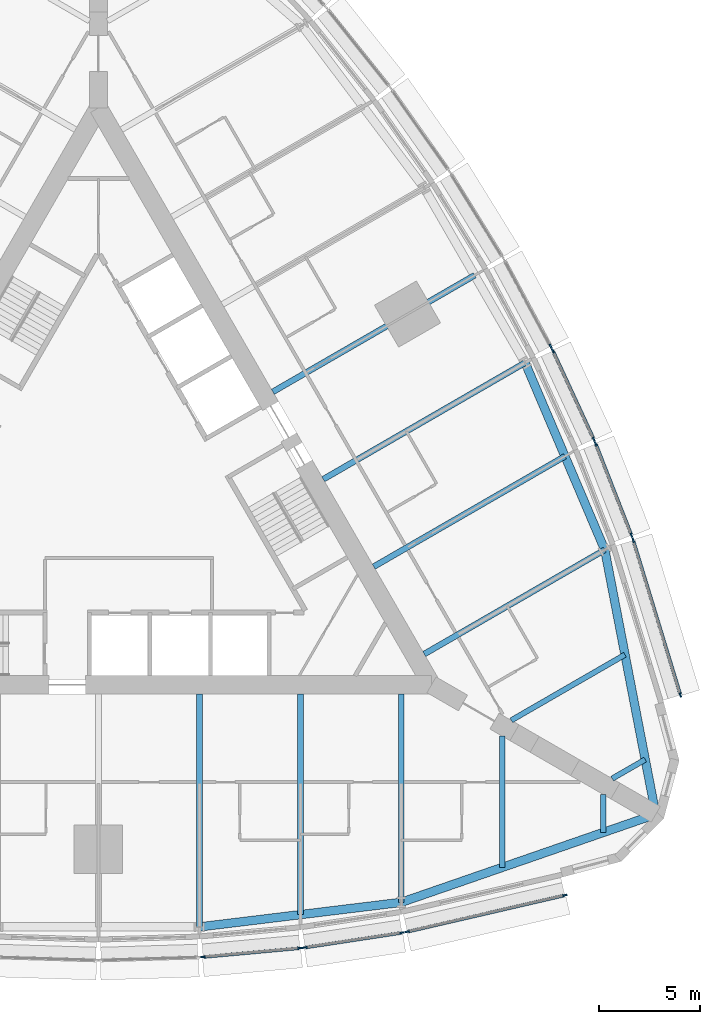
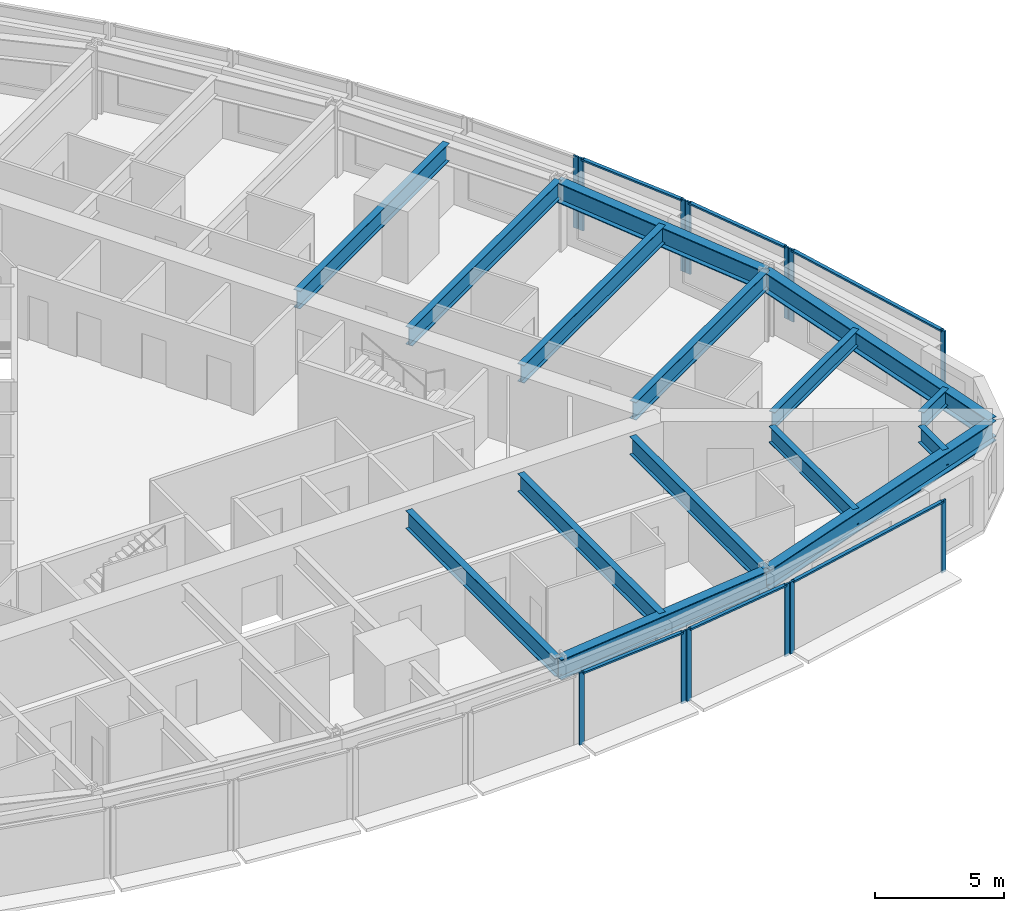
# One storey, part 3 of 14: 19 members, 15 beams, 7 elements without a shape of their own.
"""IFC4 building model written with IfcOpenShell, lengths in metres."""

from ifc_helpers import new_model, si_unit, direction, frame, origin, origin_2d, place, context, subcontext, project, spatial, rectangle, i_section, extrude, material, material_profile, profile_set, type_object, element, aggregate, save


model = new_model("IFC4")

# Units and contexts
model_context = context("Model", 3, precision=1e-05, world=origin(), true_north=direction((0.0, 1.0)))
body_context = subcontext(model_context, "Body", "Model", "MODEL_VIEW")
ifc_project = project(units=[si_unit("LENGTHUNIT", "METRE"), si_unit("AREAUNIT", "SQUARE_METRE"), si_unit("VOLUMEUNIT", "CUBIC_METRE"), si_unit("PLANEANGLEUNIT", "RADIAN"), si_unit("MASSUNIT", "GRAM", prefix="KILO")], contexts=[model_context])

# Site, building, storey
site_placement = place(None, origin())
site = spatial("IfcSite", under=ifc_project, at=site_placement, CompositionType="ELEMENT")
building_placement = place(site_placement, origin())
building = spatial("IfcBuilding", under=site, at=building_placement, Name="Trikona Tower", CompositionType="ELEMENT")
storey_placement = place(building_placement, frame((0.0, 0.0, 72.699951171875)))
storey = spatial("IfcBuildingStorey", under=building, at=storey_placement, Name="L18", CompositionType="ELEMENT", Elevation=72.699951171875)

# Curtain wall, members
ifc_material_1 = material(Name="Aluminium curtain wall system", Category="aluminium")
curtain_wall_type = type_object("IfcCurtainWallType", Name="Curtain wall DS1", PredefinedType="NOTDEFINED", material=ifc_material_1)
curtain_wall_1_placement = place(storey_placement, origin())
curtain_wall_1 = element("IfcCurtainWall", 1, at=curtain_wall_1_placement, inside=storey, type_object=curtain_wall_type, Name="Curtain wall DS1 L18", PredefinedType="NOTDEFINED")
ifc_material_2 = material(Name="Aluminium mullion, pale anodised", Category="aluminium")
ifc_material_profile_1 = material_profile(ifc_material_2, rectangle(XDim=0.080078125, YDim=0.219970703125, at=origin_2d()), Name="MUL-DS1")
ifc_profile_set_1 = profile_set([ifc_material_profile_1], Name="Aluminium mullion, pale anodised")
member_type_1 = type_object("IfcMemberType", Name="Mullion DS1 80x220", PredefinedType="MULLION", material=ifc_profile_set_1)
member_1_placement = place(storey_placement, frame((5.181396484375, -23.007568359375, 0.0), z_axis=(0.0, 0.0, 1.0), x_axis=(-0.090923932737, 0.995857840485, 0.0)))
member_1 = element("IfcMember", 2, at=member_1_placement, type_object=member_type_1, Name="CW-DS1 mullion 1", PredefinedType="MULLION", context=body_context, shape_type="SweptSolid", body=[
    extrude(rectangle(XDim=0.080078125, YDim=0.219970703125, at=origin_2d()), origin(), (0.0, 0.0, 1.0), 3.400146484375),
])
member_2_placement = place(storey_placement, frame((9.982177734375, -22.5693359375, 0.0), z_axis=(0.0, 0.0, 1.0), x_axis=(-0.090923932737, 0.995857840485, 0.0)))
member_2 = element("IfcMember", 3, at=member_2_placement, type_object=member_type_1, Name="CW-DS1 mullion 2", PredefinedType="MULLION", context=body_context, shape_type="SweptSolid", body=[
    extrude(rectangle(XDim=0.080078125, YDim=0.219970703125, at=origin_2d()), origin(), (0.0, 0.0, 1.0), 3.400146484375),
])

curtain_wall_2_placement = place(storey_placement, origin())
curtain_wall_2 = element("IfcCurtainWall", 4, at=curtain_wall_2_placement, inside=storey, type_object=curtain_wall_type, Name="Curtain wall DS1 L18", PredefinedType="NOTDEFINED")
member_3_placement = place(storey_placement, frame((10.234130859375, -22.53857421875, 0.0), z_axis=(0.0, 0.0, 1.0), x_axis=(-0.150437693845, 0.988619492156, 0.0)))
member_3 = element("IfcMember", 5, at=member_3_placement, type_object=member_type_1, Name="CW-DS1 mullion 1", PredefinedType="MULLION", context=body_context, shape_type="SweptSolid", body=[
    extrude(rectangle(XDim=0.080078125, YDim=0.219970703125, at=origin_2d()), origin(), (0.0, 0.0, 1.0), 3.400146484375),
])
member_4_placement = place(storey_placement, frame((15.03662109375, -21.807861328125, 0.0), z_axis=(0.0, 0.0, 1.0), x_axis=(-0.150437693845, 0.988619492156, 0.0)))
member_4 = element("IfcMember", 6, at=member_4_placement, type_object=member_type_1, Name="CW-DS1 mullion 2", PredefinedType="MULLION", context=body_context, shape_type="SweptSolid", body=[
    extrude(rectangle(XDim=0.080078125, YDim=0.219970703125, at=origin_2d()), origin(), (0.0, 0.0, 1.0), 3.400146484375),
])

curtain_wall_3_placement = place(storey_placement, origin())
curtain_wall_3 = element("IfcCurtainWall", 7, at=curtain_wall_3_placement, inside=storey, type_object=curtain_wall_type, Name="Curtain wall DS1 L18", PredefinedType="NOTDEFINED")
member_5_placement = place(storey_placement, frame((15.30029296875, -21.75732421875, 0.0), z_axis=(0.0, 0.0, 1.0), x_axis=(-0.225343288756, 0.974279427173, 0.0)))
member_5 = element("IfcMember", 8, at=member_5_placement, type_object=member_type_1, Name="CW-DS1 mullion 1", PredefinedType="MULLION", context=body_context, shape_type="SweptSolid", body=[
    extrude(rectangle(XDim=0.080078125, YDim=0.219970703125, at=origin_2d()), origin(), (0.0, 0.0, 1.0), 3.400146484375),
])
member_6_placement = place(storey_placement, frame((23.10546875, -19.951904296875, 0.0), z_axis=(0.0, 0.0, 1.0), x_axis=(-0.225343288756, 0.974279427173, 0.0)))
member_6 = element("IfcMember", 9, at=member_6_placement, type_object=member_type_1, Name="CW-DS1 mullion 2", PredefinedType="MULLION", context=body_context, shape_type="SweptSolid", body=[
    extrude(rectangle(XDim=0.080078125, YDim=0.219970703125, at=origin_2d()), origin(), (0.0, 0.0, 1.0), 3.400146484375),
])

curtain_wall_4_placement = place(storey_placement, origin())
curtain_wall_4 = element("IfcCurtainWall", 10, at=curtain_wall_4_placement, inside=storey, type_object=curtain_wall_type, Name="Curtain wall DS1 L18", PredefinedType="NOTDEFINED")
member_7_placement = place(storey_placement, frame((28.83154296875, -10.033935546875, 0.0), z_axis=(0.0, 0.0, 1.0), x_axis=(-0.956423115383, -0.291984287868, 0.0)))
member_7 = element("IfcMember", 11, at=member_7_placement, type_object=member_type_1, Name="CW-DS1 mullion 1", PredefinedType="MULLION", context=body_context, shape_type="SweptSolid", body=[
    extrude(rectangle(XDim=0.080078125, YDim=0.219970703125, at=origin_2d()), origin(), (0.0, 0.0, 1.0), 3.400146484375),
])
member_8_placement = place(storey_placement, frame((26.492431640625, -2.371826171875, 0.0), z_axis=(0.0, 0.0, 1.0), x_axis=(-0.956423115383, -0.291984287868, 0.0)))
member_8 = element("IfcMember", 12, at=member_8_placement, type_object=member_type_1, Name="CW-DS1 mullion 2", PredefinedType="MULLION", context=body_context, shape_type="SweptSolid", body=[
    extrude(rectangle(XDim=0.080078125, YDim=0.219970703125, at=origin_2d()), origin(), (0.0, 0.0, 1.0), 3.400146484375),
])

curtain_wall_5_placement = place(storey_placement, origin())
curtain_wall_5 = element("IfcCurtainWall", 13, at=curtain_wall_5_placement, inside=storey, type_object=curtain_wall_type, Name="Curtain wall DS1 L18", PredefinedType="NOTDEFINED")
member_9_placement = place(storey_placement, frame((26.404296875, -2.1181640625, 0.0), z_axis=(0.0, 0.0, 1.0), x_axis=(-0.931395989443, -0.36400756977, 0.0)))
member_9 = element("IfcMember", 14, at=member_9_placement, type_object=member_type_1, Name="CW-DS1 mullion 1", PredefinedType="MULLION", context=body_context, shape_type="SweptSolid", body=[
    extrude(rectangle(XDim=0.080078125, YDim=0.219970703125, at=origin_2d()), origin(), (0.0, 0.0, 1.0), 3.400146484375),
])
member_10_placement = place(storey_placement, frame((24.63623046875, 2.40625, 0.0), z_axis=(0.0, 0.0, 1.0), x_axis=(-0.931395989443, -0.36400756977, 0.0)))
member_10 = element("IfcMember", 15, at=member_10_placement, type_object=member_type_1, Name="CW-DS1 mullion 2", PredefinedType="MULLION", context=body_context, shape_type="SweptSolid", body=[
    extrude(rectangle(XDim=0.080078125, YDim=0.219970703125, at=origin_2d()), origin(), (0.0, 0.0, 1.0), 3.400146484375),
])

curtain_wall_6_placement = place(storey_placement, origin())
curtain_wall_6 = element("IfcCurtainWall", 16, at=curtain_wall_6_placement, inside=storey, type_object=curtain_wall_type, Name="Curtain wall DS1 L18", PredefinedType="NOTDEFINED")
member_11_placement = place(storey_placement, frame((24.53662109375, 2.6396484375, 0.0), z_axis=(0.0, 0.0, 1.0), x_axis=(-0.907898459992, -0.419190155352, 0.0)))
member_11 = element("IfcMember", 17, at=member_11_placement, type_object=member_type_1, Name="CW-DS1 mullion 1", PredefinedType="MULLION", context=body_context, shape_type="SweptSolid", body=[
    extrude(rectangle(XDim=0.080078125, YDim=0.219970703125, at=origin_2d()), origin(), (0.0, 0.0, 1.0), 3.400146484375),
])
member_12_placement = place(storey_placement, frame((22.515869140625, 7.0166015625, 0.0), z_axis=(0.0, 0.0, 1.0), x_axis=(-0.907898459992, -0.419190155352, 0.0)))
member_12 = element("IfcMember", 18, at=member_12_placement, type_object=member_type_1, Name="CW-DS1 mullion 2", PredefinedType="MULLION", context=body_context, shape_type="SweptSolid", body=[
    extrude(rectangle(XDim=0.080078125, YDim=0.219970703125, at=origin_2d()), origin(), (0.0, 0.0, 1.0), 3.400146484375),
])

# Curtain wall, member
curtain_wall_7_placement = place(storey_placement, origin())
curtain_wall_7 = element("IfcCurtainWall", 19, at=curtain_wall_7_placement, inside=storey, type_object=curtain_wall_type, Name="Curtain wall DS1 L18", PredefinedType="NOTDEFINED")
member_13_placement = place(storey_placement, frame((22.402099609375, 7.244140625, 0.0), z_axis=(0.0, 0.0, 1.0), x_axis=(-0.880843080975, -0.473408350896, 0.0)))
member_13 = element("IfcMember", 20, at=member_13_placement, type_object=member_type_1, Name="CW-DS1 mullion 1", PredefinedType="MULLION", context=body_context, shape_type="SweptSolid", body=[
    extrude(rectangle(XDim=0.080078125, YDim=0.219970703125, at=origin_2d()), origin(), (0.0, 0.0, 1.0), 3.400146484375),
])
aggregate(curtain_wall_7, [member_13])

# Beams
ifc_material_3 = material(Name="Steel ASTM A992 Grade 50", Category="steel")
ifc_material_profile_2 = material_profile(ifc_material_3, i_section(OverallWidth=0.2666015625, OverallDepth=0.76953125, WebThickness=0.015625, FlangeThickness=0.025390625, at=origin_2d()), Name="W30X132")
ifc_profile_set_2 = profile_set([ifc_material_profile_2], Name="Steel ASTM A992 Grade 50")
beam_type_1 = type_object("IfcBeamType", Name="Steel beam W30x132 (wedge)", PredefinedType="BEAM", material=ifc_profile_set_2)
beam_1_placement = place(storey_placement, frame((20.0, -12.066650390625, 2.850341796875), z_axis=(0.0, -1.0, 0.0), x_axis=(1.0, 0.0, 0.0)))
element("IfcBeam", 21, at=beam_1_placement, inside=storey, type_object=beam_type_1, Name="Floor beam L19 F1 u20", PredefinedType="BEAM", context=body_context, shape_type="SweptSolid", body=[
    extrude(i_section(OverallWidth=0.2666015625, OverallDepth=0.76953125, WebThickness=0.015625, FlangeThickness=0.025390625, at=origin_2d()), origin(), (0.0, 0.0, 1.0), 6.5068359375),
])
for number, where, z_axis, x_axis, name in (
    (22, (25.0, -14.953369140625, 2.850341796875), (0.0, -1.0, 0.0), (1.0, 0.0, 0.0), "Floor beam L19 F1 u25"),
    (23, (25.449951171875, -14.173828125, 2.850341796875), (0.866065156741, 0.499931139538, 0.0), (-0.499931139538, 0.866065156741, 0.0), "Floor beam L19 F2 u-25"),
):
    element("IfcBeam", number, at=place(storey_placement, frame(where, z_axis=z_axis, x_axis=x_axis)), inside=storey, type_object=beam_type_1, Name=name, PredefinedType="BEAM", context=body_context, shape_type="SweptSolid", body=[
        extrude(i_section(OverallWidth=0.2666015625, OverallDepth=0.76953125, WebThickness=0.015625, FlangeThickness=0.025390625, at=origin_2d()), origin(), (0.0, 0.0, 1.0), 1.890380859375),
    ])
beam_2_placement = place(storey_placement, frame((20.449951171875, -11.287109375, 2.850341796875), z_axis=(0.866022504693, 0.50000502134, 0.0), x_axis=(-0.50000502134, 0.866022504693, 0.0)))
element("IfcBeam", 24, at=beam_2_placement, inside=storey, type_object=beam_type_1, Name="Floor beam L19 F2 u-20", PredefinedType="BEAM", context=body_context, shape_type="SweptSolid", body=[
    extrude(i_section(OverallWidth=0.2666015625, OverallDepth=0.76953125, WebThickness=0.015625, FlangeThickness=0.025390625, at=origin_2d()), origin(), (0.0, 0.0, 1.0), 6.5068359375),
])
ifc_material_4 = material(Name="Steel ASTM A992 Grade 50", Category="steel")
ifc_material_profile_3 = material_profile(ifc_material_4, i_section(OverallWidth=0.2919921875, OverallDepth=0.845703125, WebThickness=0.015380859375, FlangeThickness=0.0244140625, at=origin_2d()), Name="W33X141")
ifc_profile_set_3 = profile_set([ifc_material_profile_3], Name="Steel ASTM A992 Grade 50")
beam_type_2 = type_object("IfcBeamType", Name="Steel beam W33x141 (radial typ)", PredefinedType="BEAM", material=ifc_profile_set_3)
beam_3_placement = place(storey_placement, frame((5.0, -9.976318359375, 2.812255859375), z_axis=(0.0, -1.0, 0.0), x_axis=(1.0, 0.0, 0.0)))
element("IfcBeam", 25, at=beam_3_placement, inside=storey, type_object=beam_type_2, Name="Floor beam L19 F1 u5", PredefinedType="BEAM", context=body_context, shape_type="SweptSolid", body=[
    extrude(i_section(OverallWidth=0.2919921875, OverallDepth=0.845703125, WebThickness=0.015380859375, FlangeThickness=0.0244140625, at=origin_2d()), origin(), (0.0, 0.0, 1.0), 11.544189453125),
])
beam_4_placement = place(storey_placement, frame((10.0, -9.976318359375, 2.812255859375), z_axis=(0.0, -1.0, 0.0), x_axis=(1.0, 0.0, 0.0)))
element("IfcBeam", 26, at=beam_4_placement, inside=storey, type_object=beam_type_2, Name="Floor beam L19 F1 u10", PredefinedType="BEAM", context=body_context, shape_type="SweptSolid", body=[
    extrude(i_section(OverallWidth=0.2919921875, OverallDepth=0.845703125, WebThickness=0.015380859375, FlangeThickness=0.0244140625, at=origin_2d()), origin(), (0.0, 0.0, 1.0), 10.935302734375),
])
beam_5_placement = place(storey_placement, frame((15.0, -9.976318359375, 2.812255859375), z_axis=(0.0, -1.0, 0.0), x_axis=(1.0, 0.0, 0.0)))
element("IfcBeam", 27, at=beam_5_placement, inside=storey, type_object=beam_type_2, Name="Floor beam L19 F1 u15", PredefinedType="BEAM", context=body_context, shape_type="SweptSolid", body=[
    extrude(i_section(OverallWidth=0.2919921875, OverallDepth=0.845703125, WebThickness=0.015380859375, FlangeThickness=0.0244140625, at=origin_2d()), origin(), (0.0, 0.0, 1.0), 10.32666015625),
])
beam_6_placement = place(storey_placement, frame((16.1396484375, -8.002197265625, 2.812255859375), z_axis=(0.866030471684, 0.499991222037, 0.0), x_axis=(-0.499991222037, 0.866030471684, 0.0)))
element("IfcBeam", 28, at=beam_6_placement, inside=storey, type_object=beam_type_2, Name="Floor beam L19 F2 u-15", PredefinedType="BEAM", context=body_context, shape_type="SweptSolid", body=[
    extrude(i_section(OverallWidth=0.2919921875, OverallDepth=0.845703125, WebThickness=0.015380859375, FlangeThickness=0.0244140625, at=origin_2d()), origin(), (0.0, 0.0, 1.0), 10.326904296875),
])
beam_7_placement = place(storey_placement, frame((13.6396484375, -3.672119140625, 2.812255859375), z_axis=(0.866025348605, 0.500000095573, 0.0), x_axis=(-0.500000095573, 0.866025348605, 0.0)))
element("IfcBeam", 29, at=beam_7_placement, inside=storey, type_object=beam_type_2, Name="Floor beam L19 F2 u-10", PredefinedType="BEAM", context=body_context, shape_type="SweptSolid", body=[
    extrude(i_section(OverallWidth=0.2919921875, OverallDepth=0.845703125, WebThickness=0.015380859375, FlangeThickness=0.0244140625, at=origin_2d()), origin(), (0.0, 0.0, 1.0), 10.935546875),
])
for number, where, z_axis, x_axis, name in (
    (30, (11.1396484375, 0.657958984375, 2.812255859375), (0.866020765707, 0.500008033299, 0.0), (-0.500008033299, 0.866020765707, 0.0), "Floor beam L19 F2 u-5"),
    (31, (8.6396484375, 4.988037109375, 2.812255859375), (0.866020765707, 0.500008033299, 0.0), (-0.500008033299, 0.866020765707, 0.0), "Floor beam L19 F2 u0"),
):
    element("IfcBeam", number, at=place(storey_placement, frame(where, z_axis=z_axis, x_axis=x_axis)), inside=storey, type_object=beam_type_2, Name=name, PredefinedType="BEAM", context=body_context, shape_type="SweptSolid", body=[
        extrude(i_section(OverallWidth=0.2919921875, OverallDepth=0.845703125, WebThickness=0.015380859375, FlangeThickness=0.0244140625, at=origin_2d()), origin(), (0.0, 0.0, 1.0), 11.544189453125),
    ])
ifc_material_5 = material(Name="Steel ASTM A992 Grade 50", Category="steel")
ifc_material_profile_4 = material_profile(ifc_material_5, i_section(OverallWidth=0.424072265625, OverallDepth=0.947509765625, WebThickness=0.02392578125, FlangeThickness=0.042724609375, at=origin_2d()), Name="W36X302")
ifc_profile_set_4 = profile_set([ifc_material_profile_4], Name="Steel ASTM A992 Grade 50")
beam_type_3 = type_object("IfcBeamType", Name="Steel beam W36x302 (spandrel)", PredefinedType="SPANDREL", material=ifc_profile_set_4)
beam_8_placement = place(storey_placement, frame((5.0, -21.5205078125, 2.76123046875), z_axis=(0.99266951126, 0.120860421207, 0.0), x_axis=(-0.120860421207, 0.99266951126, 0.0)))
element("IfcBeam", 32, at=beam_8_placement, inside=storey, type_object=beam_type_3, Name="Spandrel beam L19 F1-4", PredefinedType="SPANDREL", context=body_context, shape_type="SweptSolid", body=[
    extrude(i_section(OverallWidth=0.424072265625, OverallDepth=0.947509765625, WebThickness=0.02392578125, FlangeThickness=0.042724609375, at=origin_2d()), origin(), (0.0, 0.0, 1.0), 10.07373046875),
])
for number, where, z_axis, x_axis, name in (
    (33, (15.0, -20.302978515625, 2.76123046875), (0.945056965739, 0.326905692071, 0.0), (-0.326905692071, 0.945056965739, 0.0), "Spandrel beam L19 F1-5"),
    (34, (27.6103515625, -15.94091796875, 2.76123046875), (-0.189405184036, 0.981899015307, 0.0), (-0.981899015307, -0.189405184036, 0.0), "Spandrel beam L19 F2-1"),
):
    element("IfcBeam", number, at=place(storey_placement, frame(where, z_axis=z_axis, x_axis=x_axis)), inside=storey, type_object=beam_type_3, Name=name, PredefinedType="SPANDREL", context=body_context, shape_type="SweptSolid", body=[
        extrude(i_section(OverallWidth=0.424072265625, OverallDepth=0.947509765625, WebThickness=0.02392578125, FlangeThickness=0.042724609375, at=origin_2d()), origin(), (0.0, 0.0, 1.0), 13.343505859375),
    ])
beam_9_placement = place(storey_placement, frame((25.0830078125, -2.8388671875, 2.76123046875), z_axis=(-0.391683514847, 0.920100007715, 0.0), x_axis=(-0.920100007715, -0.391683514847, 0.0)))
element("IfcBeam", 35, at=beam_9_placement, inside=storey, type_object=beam_type_3, Name="Spandrel beam L19 F2-2", PredefinedType="SPANDREL", context=body_context, shape_type="SweptSolid", body=[
    extrude(i_section(OverallWidth=0.424072265625, OverallDepth=0.947509765625, WebThickness=0.02392578125, FlangeThickness=0.042724609375, at=origin_2d()), origin(), (0.0, 0.0, 1.0), 10.073974609375),
])

# Member
ifc_material_6 = material(Name="Aluminium transom, pale anodised", Category="aluminium")
ifc_material_profile_5 = material_profile(ifc_material_6, rectangle(XDim=0.159912109375, YDim=0.080078125, at=origin_2d()), Name="TRN-DS1")
ifc_profile_set_5 = profile_set([ifc_material_profile_5], Name="Aluminium transom, pale anodised")
member_type_2 = type_object("IfcMemberType", Name="Transom DS1 80x160", PredefinedType="USERDEFINED", material=ifc_profile_set_5)
member_14_placement = place(storey_placement, frame((5.22119140625, -23.00390625, 3.360107421875), z_axis=(0.995855977008, 0.090944340438, 0.0), x_axis=(-0.090944340438, 0.995855977008, 0.0)))
member_14 = element("IfcMember", 36, at=member_14_placement, type_object=member_type_2, Name="CW-DS1 transom 1.1", ObjectType="TRANSOM", PredefinedType="USERDEFINED", context=body_context, shape_type="SweptSolid", body=[
    extrude(rectangle(XDim=0.159912109375, YDim=0.080078125, at=origin_2d()), origin(), (0.0, 0.0, 1.0), 4.74072265625),
])

aggregate(curtain_wall_1, [member_1, member_2, member_14])

member_15_placement = place(storey_placement, frame((10.273681640625, -22.532470703125, 3.360107421875), z_axis=(0.988619663412, 0.150436568413, 0.0), x_axis=(-0.150436568413, 0.988619663412, 0.0)))
member_15 = element("IfcMember", 37, at=member_15_placement, type_object=member_type_2, Name="CW-DS1 transom 1.1", ObjectType="TRANSOM", PredefinedType="USERDEFINED", context=body_context, shape_type="SweptSolid", body=[
    extrude(rectangle(XDim=0.159912109375, YDim=0.080078125, at=origin_2d()), origin(), (0.0, 0.0, 1.0), 4.77783203125),
])

aggregate(curtain_wall_2, [member_3, member_4, member_15])

member_16_placement = place(storey_placement, frame((15.33935546875, -21.748291015625, 3.360107421875), z_axis=(0.974275371842, 0.225360821398, 0.0), x_axis=(-0.225360821398, 0.974275371842, 0.0)))
member_16 = element("IfcMember", 38, at=member_16_placement, type_object=member_type_2, Name="CW-DS1 transom 1.1", ObjectType="TRANSOM", PredefinedType="USERDEFINED", context=body_context, shape_type="SweptSolid", body=[
    extrude(rectangle(XDim=0.159912109375, YDim=0.080078125, at=origin_2d()), origin(), (0.0, 0.0, 1.0), 7.93115234375),
])

aggregate(curtain_wall_3, [member_5, member_6, member_16])

member_17_placement = place(storey_placement, frame((28.81982421875, -9.99560546875, 3.360107421875), z_axis=(-0.291967490203, 0.956428243343, 0.0), x_axis=(-0.956428243343, -0.291967490203, 0.0)))
member_17 = element("IfcMember", 39, at=member_17_placement, type_object=member_type_2, Name="CW-DS1 transom 1.1", ObjectType="TRANSOM", PredefinedType="USERDEFINED", context=body_context, shape_type="SweptSolid", body=[
    extrude(rectangle(XDim=0.159912109375, YDim=0.080078125, at=origin_2d()), origin(), (0.0, 0.0, 1.0), 7.93115234375),
])

aggregate(curtain_wall_4, [member_7, member_8, member_17])

member_18_placement = place(storey_placement, frame((26.389892578125, -2.080810546875, 3.360107421875), z_axis=(-0.364048647668, 0.931379934362, 0.0), x_axis=(-0.931379934362, -0.364048647668, 0.0)))
member_18 = element("IfcMember", 40, at=member_18_placement, type_object=member_type_2, Name="CW-DS1 transom 1.1", ObjectType="TRANSOM", PredefinedType="USERDEFINED", context=body_context, shape_type="SweptSolid", body=[
    extrude(rectangle(XDim=0.159912109375, YDim=0.080078125, at=origin_2d()), origin(), (0.0, 0.0, 1.0), 4.777587890625),
])

aggregate(curtain_wall_5, [member_9, member_10, member_18])

member_19_placement = place(storey_placement, frame((24.52001953125, 2.676025390625, 3.360107421875), z_axis=(-0.419188800665, 0.90789908547, 0.0), x_axis=(-0.90789908547, -0.419188800665, 0.0)))
member_19 = element("IfcMember", 41, at=member_19_placement, type_object=member_type_2, Name="CW-DS1 transom 1.1", ObjectType="TRANSOM", PredefinedType="USERDEFINED", context=body_context, shape_type="SweptSolid", body=[
    extrude(rectangle(XDim=0.159912109375, YDim=0.080078125, at=origin_2d()), origin(), (0.0, 0.0, 1.0), 4.74072265625),
])

aggregate(curtain_wall_6, [member_11, member_12, member_19])

save(model, "model.ifc")
